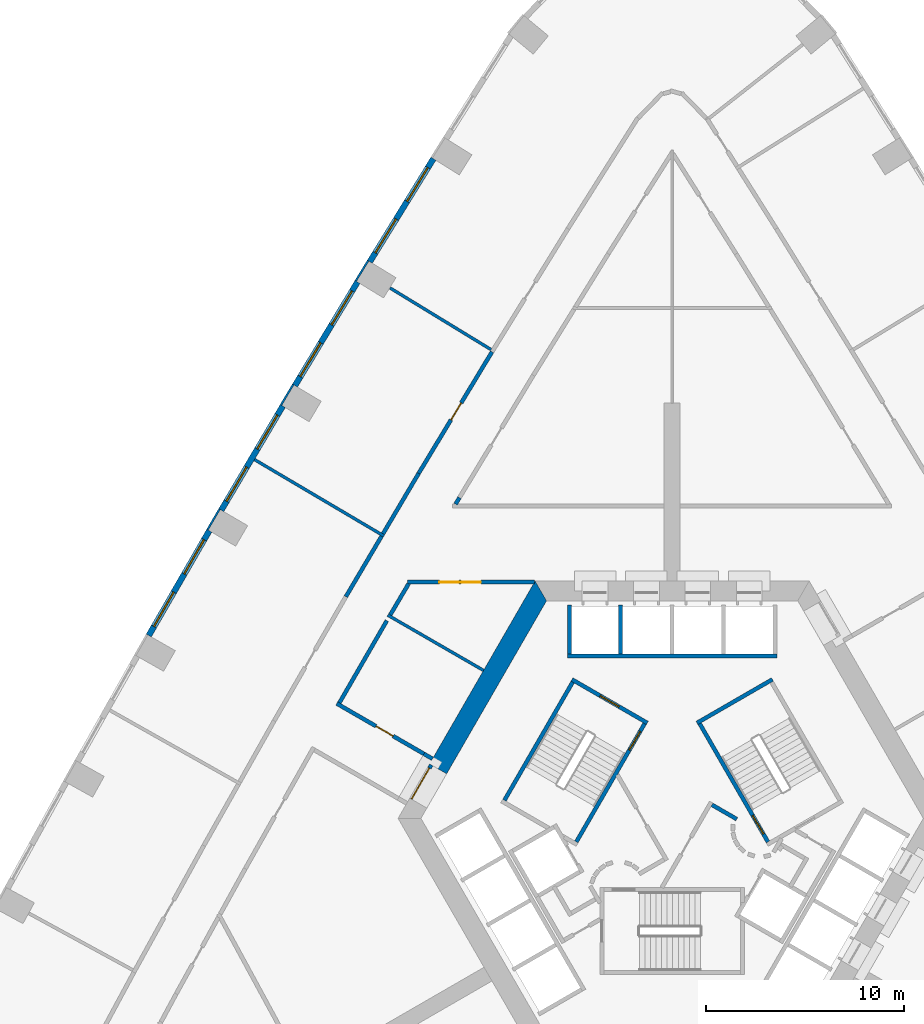
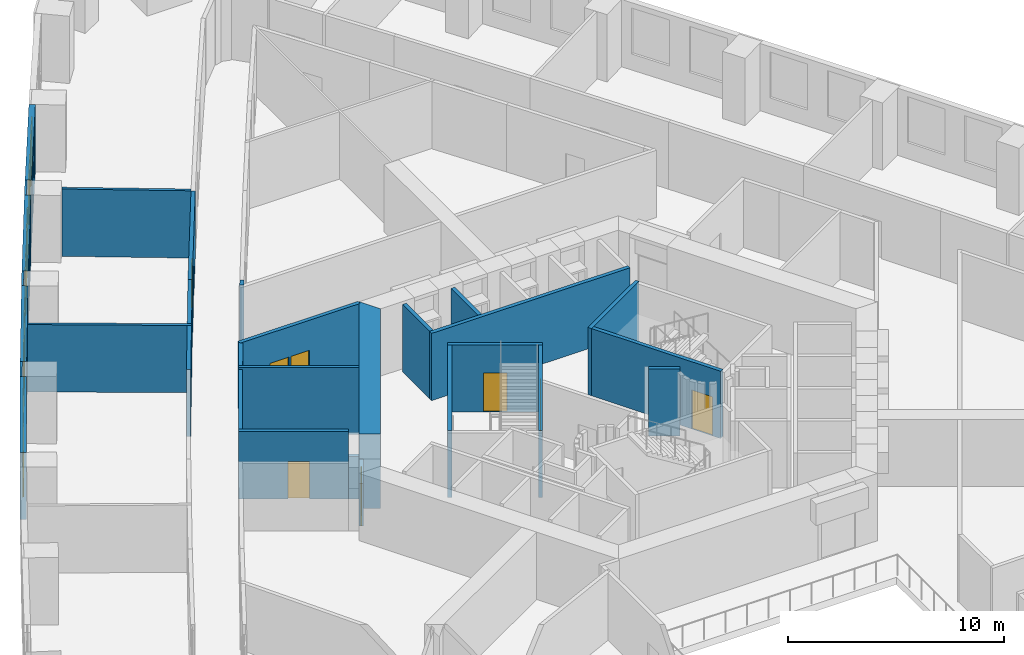
# One storey, part 8 of 13: 30 walls, 8 doors, 8 windows, 16 openings.
"""IFC4 building model written with IfcOpenShell, lengths in metres."""

from ifc_helpers import new_model, si_unit, direction, frame, frame_2d, origin, place, context, subcontext, project, spatial, polyline, rectangle, outline, extrude, material, layer, layer_set, type_object, element, fill, save


model = new_model("IFC4")

# Units and contexts
model_context = context("Model", 3, precision=1e-05, world=origin(), true_north=direction((0.0, 1.0)))
body_context = subcontext(model_context, "Body", "Model", "MODEL_VIEW")
ifc_project = project(units=[si_unit("LENGTHUNIT", "METRE"), si_unit("AREAUNIT", "SQUARE_METRE"), si_unit("VOLUMEUNIT", "CUBIC_METRE"), si_unit("PLANEANGLEUNIT", "RADIAN"), si_unit("MASSUNIT", "GRAM", prefix="KILO")], contexts=[model_context])

# Site, building, storey
site_placement = place(None, origin())
site = spatial("IfcSite", under=ifc_project, at=site_placement, CompositionType="ELEMENT")
building_placement = place(site_placement, origin())
building = spatial("IfcBuilding", under=site, at=building_placement, Name="Entoto Arch Interchange Tower", CompositionType="ELEMENT")
storey_placement = place(building_placement, frame((0.0, 0.0, 51.800048828125)))
storey = spatial("IfcBuildingStorey", under=building, at=storey_placement, Name="L10", CompositionType="ELEMENT", Elevation=51.800048828125)

# Wall, opening, door
ifc_material_1 = material(Name="Reinforced concrete C40/50", Category="concrete")
ifc_layer_1 = layer(ifc_material_1, 0.199951171875)
ifc_layer_set_1 = layer_set([ifc_layer_1], Name="Reinforced concrete C40/50")
wall_type_1 = type_object("IfcWallType", Name="CORE GAP INFILL WALL", PredefinedType="PARTITIONING", material=ifc_layer_set_1)
wall_1_placement = place(storey_placement, frame((-12.179931640625, 5.201904296875, 0.0), z_axis=(0.0, 0.0, 1.0), x_axis=(-0.50002537861, -0.866010750942, 0.0)))
wall_1 = element("IfcWall", 1, at=wall_1_placement, inside=storey, type_object=wall_type_1, Name="wall:L10:gap3", PredefinedType="PARTITIONING", context=body_context, shape_type="SweptSolid", body=[
    extrude(rectangle(XDim=2.0, YDim=0.199951171875, at=frame_2d((1.0, 0.0))), origin(), (0.0, 0.0, 1.0), 2.39990234375),
])
opening_1_placement = place(wall_1_placement, frame((0.18994140625, 0.0, 0.0)))
opening_1 = element("IfcOpeningElement", 2, at=opening_1_placement, cuts=wall_1, Name="Opening L10-D93", PredefinedType="OPENING", context=body_context, shape_type="SweptSolid", body=[
    extrude(rectangle(XDim=1.800048828125, YDim=2.10009765625, at=frame_2d((0.89990234375, 1.050048828125))), frame((0.0, 0.10986328125, 0.0), z_axis=(0.0, -1.0, 0.0), x_axis=(1.0, 0.0, 0.0)), (0.0, 0.0, 1.0), 0.219970703125),
])
ifc_material_2 = material(Name="Fire-rated Steel S235 door and frame", Category="steel")
door_type_1 = type_object("IfcDoorType", Name="DOOR FD-18 1800x2100", OperationType="DOUBLE_DOOR_SINGLE_SWING", PredefinedType="DOOR", material=ifc_material_2)
door_1_placement = place(opening_1_placement, origin())
door_1 = element("IfcDoor", 3, at=door_1_placement, inside=storey, type_object=door_type_1, Name="door:L10:gap3", OperationType="DOUBLE_DOOR_SINGLE_SWING", OverallHeight=2.10009765625, OverallWidth=1.800048828125, PredefinedType="DOOR", context=body_context, shape_type="SweptSolid", body=[
    extrude(rectangle(XDim=1.800048828125, YDim=2.10009765625, at=frame_2d((0.89990234375, 1.050048828125))), frame((0.0, 0.02490234375, 0.0), z_axis=(0.0, -1.0, 0.0), x_axis=(1.0, 0.0, 0.0)), (0.0, 0.0, 1.0), 0.050048828125),
])
fill(opening_1, door_1)

# Walls
ifc_material_3 = material(Name="Concrete C60/75", Category="concrete")
ifc_layer_2 = layer(ifc_material_3, 1.0)
ifc_layer_set_2 = layer_set([ifc_layer_2], Name="Concrete C60/75")
wall_type_2 = type_object("IfcWallType", Name="Core wall 1000 C60/75", PredefinedType="SHEAR", material=ifc_layer_set_2)
wall_2_placement = place(storey_placement, frame((0.0, 0.0, -0.400146484375)))
element("IfcWall", 4, at=wall_2_placement, inside=storey, type_object=wall_type_2, Name="Core wall NW L10", PredefinedType="SHEAR", context=body_context, shape_type="SweptSolid", body=[
    extrude(outline(polyline([(-12.26708984375, 5.251953125), (-11.402099609375, 4.751953125), (-6.35107421875, 13.5), (-6.927978515625, 14.5), (-12.26708984375, 5.251953125)])), origin(), (0.0, 0.0, 1.0), 4.2001953125),
])
ifc_material_4 = material(Name="Concrete C40/50", Category="concrete")
ifc_layer_3 = layer(ifc_material_4, 0.199951171875)
ifc_layer_set_3 = layer_set([ifc_layer_3], Name="Concrete C40/50")
wall_type_3 = type_object("IfcWallType", Name="LIFT SHAFT WALL 200", PredefinedType="STANDARD", material=ifc_layer_set_3)
wall_3_placement = place(storey_placement, frame((5.300048828125, 10.699951171875, 0.0), z_axis=(0.0, 0.0, 1.0), x_axis=(-1.0, 0.0, 0.0)))
element("IfcWall", 5, at=wall_3_placement, inside=storey, type_object=wall_type_3, Name="Shaft wall N3 front", PredefinedType="STANDARD", context=body_context, shape_type="SweptSolid", body=[
    extrude(rectangle(XDim=10.60009765625, YDim=0.199951171875, at=frame_2d((5.300048828125, 0.0))), origin(), (0.0, 0.0, 1.0), 3.800048828125),
])
for number, where, z_axis, x_axis, name in (
    (6, (-2.60009765625, 10.800048828125, 0.0), (0.0, 0.0, 1.0), (0.0, 1.0, 0.0), "Shaft wall N3 cross 4"),
    (7, (-5.199951171875, 10.800048828125, 0.0), (0.0, 0.0, 1.0), (0.0, 1.0, 0.0), "Shaft wall N3 cross 5"),
):
    element("IfcWall", number, at=place(storey_placement, frame(where, z_axis=z_axis, x_axis=x_axis)), inside=storey, type_object=wall_type_3, Name=name, PredefinedType="STANDARD", context=body_context, shape_type="SweptSolid", body=[
        extrude(rectangle(XDim=2.5, YDim=0.199951171875, at=frame_2d((1.25, 0.0))), origin(), (0.0, 0.0, 1.0), 3.800048828125),
    ])
ifc_material_5 = material(Name="Gypsum board partition on steel studs", Category="steel")
ifc_layer_4 = layer(ifc_material_5, 0.14990234375)
ifc_layer_set_4 = layer_set([ifc_layer_4], Name="Gypsum board partition on steel studs")
wall_type_4 = type_object("IfcWallType", Name="PARTITION 150", PredefinedType="PARTITIONING", material=ifc_layer_set_4)
wall_4_placement = place(storey_placement, frame((-14.376953125, 12.77490234375, 0.0), z_axis=(0.0, 0.0, 1.0), x_axis=(0.866051730117, -0.499954398681, 0.0)))
element("IfcWall", 8, at=wall_4_placement, inside=storey, type_object=wall_type_4, Name="wall:L10:p090", PredefinedType="PARTITIONING", context=body_context, shape_type="SweptSolid", body=[
    extrude(rectangle(XDim=5.58837890625, YDim=0.14990234375, at=frame_2d((2.794189453125, 0.0))), origin(), (0.0, 0.0, 1.0), 3.800048828125),
])
wall_5_placement = place(storey_placement, frame((-9.156005859375, 26.200927734375, 0.0), z_axis=(0.0, 0.0, 1.0), x_axis=(-0.853632819511, 0.520875234057, 0.0)))
element("IfcWall", 9, at=wall_5_placement, inside=storey, type_object=wall_type_4, Name="wall:L10:p140", PredefinedType="PARTITIONING", context=body_context, shape_type="SweptSolid", body=[
    extrude(rectangle(XDim=5.980224609375, YDim=0.14990234375, at=frame_2d((2.990234375, 0.0))), origin(), (0.0, 0.0, 1.0), 3.800048828125),
])
wall_6_placement = place(storey_placement, frame((-14.570068359375, 16.77587890625, 0.0), z_axis=(0.0, 0.0, 1.0), x_axis=(-0.861124703857, 0.508393788718, 0.0)))
element("IfcWall", 10, at=wall_6_placement, inside=storey, type_object=wall_type_4, Name="wall:L10:p141", PredefinedType="PARTITIONING", context=body_context, shape_type="SweptSolid", body=[
    extrude(rectangle(XDim=7.600341796875, YDim=0.14990234375, at=frame_2d((3.80029296875, 0.0))), origin(), (0.0, 0.0, 1.0), 3.800048828125),
])
ifc_layer_5 = layer(ifc_material_5, 0.199951171875)
ifc_layer_set_5 = layer_set([ifc_layer_5], Name="Gypsum board partition on steel studs")
wall_type_5 = type_object("IfcWallType", Name="PARTITION 200", PredefinedType="PARTITIONING", material=ifc_layer_set_5)
wall_7_placement = place(storey_placement, frame((-14.425048828125, 12.4970703125, 0.0), z_axis=(0.0, 0.0, 1.0), x_axis=(-0.500026519606, -0.866010092142, 0.0)))
element("IfcWall", 11, at=wall_7_placement, inside=storey, type_object=wall_type_5, Name="wall:L10:p001", PredefinedType="PARTITIONING", context=body_context, shape_type="SweptSolid", body=[
    extrude(rectangle(XDim=4.795654296875, YDim=0.199951171875, at=frame_2d((2.39794921875, 0.0))), origin(), (0.0, 0.0, 1.0), 3.800048828125),
])

# Wall, opening, door
wall_8_placement = place(storey_placement, frame((-16.9599609375, 8.30810546875, 0.0), z_axis=(0.0, 0.0, 1.0), x_axis=(0.866018717003, -0.500011581666, 0.0)))
wall_8 = element("IfcWall", 12, at=wall_8_placement, inside=storey, type_object=wall_type_5, Name="wall:L10:p002", PredefinedType="PARTITIONING", context=body_context, shape_type="SweptSolid", body=[
    extrude(rectangle(XDim=5.09228515625, YDim=0.199951171875, at=frame_2d((2.546142578125, 0.0))), origin(), (0.0, 0.0, 1.0), 3.800048828125),
])
opening_2_placement = place(wall_8_placement, frame((2.2958984375, 0.0, 0.0)))
opening_2 = element("IfcOpeningElement", 13, at=opening_2_placement, cuts=wall_8, Name="Opening L10-D27", PredefinedType="OPENING", context=body_context, shape_type="SweptSolid", body=[
    extrude(rectangle(XDim=1.0, YDim=2.10009765625, at=frame_2d((0.5, 1.050048828125))), frame((0.0, 0.10986328125, 0.0), z_axis=(0.0, -1.0, 0.0), x_axis=(1.0, 0.0, 0.0)), (0.0, 0.0, 1.0), 0.219970703125),
])
ifc_material_6 = material(Name="Timber door leaf in Steel S235 frame", Category="steel")
door_type_2 = type_object("IfcDoorType", Name="DOOR DS-10 1000x2100", OperationType="SINGLE_SWING_LEFT", PredefinedType="DOOR", material=ifc_material_6)
door_2_placement = place(opening_2_placement, origin())
door_2 = element("IfcDoor", 14, at=door_2_placement, inside=storey, type_object=door_type_2, Name="door:L10:27", OperationType="SINGLE_SWING_LEFT", OverallHeight=2.10009765625, OverallWidth=1.0, PredefinedType="DOOR", context=body_context, shape_type="SweptSolid", body=[
    extrude(rectangle(XDim=1.0, YDim=2.10009765625, at=frame_2d((0.5, 1.050048828125))), frame((0.0, 0.02490234375, 0.0), z_axis=(0.0, -1.0, 0.0), x_axis=(1.0, 0.0, 0.0)), (0.0, 0.0, 1.0), 0.050048828125),
])
fill(opening_2, door_2)

# Walls
wall_9_placement = place(storey_placement, frame((-13.322998046875, 14.364013671875, 0.0), z_axis=(0.0, 0.0, 1.0), x_axis=(-0.508274698505, -0.861195001646, 0.0)))
element("IfcWall", 15, at=wall_9_placement, inside=storey, type_object=wall_type_5, Name="wall:L10:p003", PredefinedType="PARTITIONING", context=body_context, shape_type="SweptSolid", body=[
    extrude(rectangle(XDim=1.82763671875, YDim=0.199951171875, at=frame_2d((0.913818359375, 0.0))), origin(), (0.0, 0.0, 1.0), 3.800048828125),
])
wall_10_placement = place(storey_placement, frame((-10.75390625, 18.716064453125, 0.0), z_axis=(0.0, 0.0, 1.0), x_axis=(-0.506880801681, -0.862016155815, 0.0)))
element("IfcWall", 16, at=wall_10_placement, inside=storey, type_object=wall_type_5, Name="wall:L10:p013", PredefinedType="PARTITIONING", context=body_context, shape_type="SweptSolid", body=[
    extrude(rectangle(XDim=0.3828125, YDim=0.199951171875, at=frame_2d((0.19140625, 0.0))), origin(), (0.0, 0.0, 1.0), 3.800048828125),
])
wall_11_placement = place(storey_placement, frame((-14.617919921875, 16.89111328125, 0.0), z_axis=(0.0, 0.0, 1.0), x_axis=(0.508267810274, 0.861199067022, 0.0)))
element("IfcWall", 17, at=wall_11_placement, inside=storey, type_object=wall_type_5, Name="wall:L10:p062", PredefinedType="PARTITIONING", context=body_context, shape_type="SweptSolid", body=[
    extrude(rectangle(XDim=3.54736328125, YDim=0.199951171875, at=frame_2d((1.773681640625, 0.0))), origin(), (0.0, 0.0, 1.0), 3.800048828125),
])

# Wall, opening, door
wall_12_placement = place(storey_placement, frame((-12.81494140625, 19.946044921875, 0.0), z_axis=(0.0, 0.0, 1.0), x_axis=(0.516822021522, 0.856092867667, 0.0)))
wall_12 = element("IfcWall", 18, at=wall_12_placement, inside=storey, type_object=wall_type_5, Name="wall:L10:p063", PredefinedType="PARTITIONING", context=body_context, shape_type="SweptSolid", body=[
    extrude(rectangle(XDim=7.1708984375, YDim=0.199951171875, at=frame_2d((3.58544921875, 0.0))), origin(), (0.0, 0.0, 1.0), 3.800048828125),
])
opening_3_placement = place(wall_12_placement, frame((3.159912109375, 0.0, 0.0)))
opening_3 = element("IfcOpeningElement", 19, at=opening_3_placement, cuts=wall_12, Name="Opening L10-D10", PredefinedType="OPENING", context=body_context, shape_type="SweptSolid", body=[
    extrude(rectangle(XDim=1.0, YDim=2.10009765625, at=frame_2d((0.5, 1.050048828125))), frame((0.0, 0.10986328125, 0.0), z_axis=(0.0, -1.0, 0.0), x_axis=(1.0, 0.0, 0.0)), (0.0, 0.0, 1.0), 0.219970703125),
])
door_3_placement = place(opening_3_placement, origin())
door_3 = element("IfcDoor", 20, at=door_3_placement, inside=storey, type_object=door_type_2, Name="door:L10:10", OperationType="SINGLE_SWING_LEFT", OverallHeight=2.10009765625, OverallWidth=1.0, PredefinedType="DOOR", context=body_context, shape_type="SweptSolid", body=[
    extrude(rectangle(XDim=1.0, YDim=2.10009765625, at=frame_2d((0.5, 1.050048828125))), frame((0.0, 0.02490234375, 0.0), z_axis=(0.0, -1.0, 0.0), x_axis=(1.0, 0.0, 0.0)), (0.0, 0.0, 1.0), 0.050048828125),
])
fill(opening_3, door_3)

# Wall
wall_13_placement = place(storey_placement, frame((-16.498046875, 13.70703125, 0.0), z_axis=(0.0, 0.0, 1.0), x_axis=(0.508471945541, 0.861078556578, 0.0)))
element("IfcWall", 21, at=wall_13_placement, inside=storey, type_object=wall_type_5, Name="wall:L10:p066", PredefinedType="PARTITIONING", context=body_context, shape_type="SweptSolid", body=[
    extrude(rectangle(XDim=3.5478515625, YDim=0.199951171875, at=frame_2d((1.77392578125, 0.0))), origin(), (0.0, 0.0, 1.0), 3.800048828125),
])

# Wall, openings, doors
wall_14_placement = place(storey_placement, frame((-6.95703125, 14.449951171875, 0.0), z_axis=(0.0, 0.0, 1.0), x_axis=(-1.0, 0.0, 0.0)))
wall_14 = element("IfcWall", 22, at=wall_14_placement, inside=storey, type_object=wall_type_5, Name="wall:L10:p091", PredefinedType="PARTITIONING", context=body_context, shape_type="SweptSolid", body=[
    extrude(rectangle(XDim=6.4150390625, YDim=0.199951171875, at=frame_2d((3.20751953125, 0.0))), origin(), (0.0, 0.0, 1.0), 3.800048828125),
])
opening_4_placement = place(wall_14_placement, frame((2.7080078125, 0.0, 0.0)))
opening_4 = element("IfcOpeningElement", 23, at=opening_4_placement, cuts=wall_14, Name="Opening L10-D28", PredefinedType="OPENING", context=body_context, shape_type="SweptSolid", body=[
    extrude(rectangle(XDim=1.0, YDim=2.10009765625, at=frame_2d((0.5, 1.050048828125))), frame((0.0, 0.10986328125, 0.0), z_axis=(0.0, -1.0, 0.0), x_axis=(1.0, 0.0, 0.0)), (0.0, 0.0, 1.0), 0.219970703125),
])
opening_5_placement = place(wall_14_placement, frame((3.80810546875, 0.0, 0.0)))
opening_5 = element("IfcOpeningElement", 24, at=opening_5_placement, cuts=wall_14, Name="Opening L10-D35", PredefinedType="OPENING", context=body_context, shape_type="SweptSolid", body=[
    extrude(rectangle(XDim=1.0, YDim=2.10009765625, at=frame_2d((0.5, 1.050048828125))), frame((0.0, 0.10986328125, 0.0), z_axis=(0.0, -1.0, 0.0), x_axis=(1.0, 0.0, 0.0)), (0.0, 0.0, 1.0), 0.219970703125),
])
door_4_placement = place(opening_4_placement, origin())
door_4 = element("IfcDoor", 25, at=door_4_placement, inside=storey, type_object=door_type_2, Name="door:L10:28", OperationType="SINGLE_SWING_LEFT", OverallHeight=2.10009765625, OverallWidth=1.0, PredefinedType="DOOR", context=body_context, shape_type="SweptSolid", body=[
    extrude(rectangle(XDim=1.0, YDim=2.10009765625, at=frame_2d((0.5, 1.050048828125))), frame((0.0, 0.02490234375, 0.0), z_axis=(0.0, -1.0, 0.0), x_axis=(1.0, 0.0, 0.0)), (0.0, 0.0, 1.0), 0.050048828125),
])
fill(opening_4, door_4)
door_5_placement = place(opening_5_placement, origin())
door_5 = element("IfcDoor", 26, at=door_5_placement, inside=storey, type_object=door_type_2, Name="door:L10:35", OperationType="SINGLE_SWING_RIGHT", OverallHeight=2.10009765625, OverallWidth=1.0, PredefinedType="DOOR", context=body_context, shape_type="SweptSolid", body=[
    extrude(rectangle(XDim=1.0, YDim=2.10009765625, at=frame_2d((0.5, 1.050048828125))), frame((0.0, 0.02490234375, 0.0), z_axis=(0.0, -1.0, 0.0), x_axis=(1.0, 0.0, 0.0)), (0.0, 0.0, 1.0), 0.050048828125),
])
fill(opening_5, door_5)

# Walls
wall_15_placement = place(storey_placement, frame((2.011962890625, 3.18603515625, 0.0), z_axis=(0.0, 0.0, 1.0), x_axis=(0.865891012941, -0.500232699559, 0.0)))
element("IfcWall", 27, at=wall_15_placement, inside=storey, type_object=wall_type_5, Name="wall:L10:p095", PredefinedType="PARTITIONING", context=body_context, shape_type="SweptSolid", body=[
    extrude(rectangle(XDim=1.449462890625, YDim=0.199951171875, at=frame_2d((0.724609375, 0.0))), origin(), (0.0, 0.0, 1.0), 3.800048828125),
])
wall_16_placement = place(storey_placement, frame((-12.550048828125, 5.761962890625, 0.0), z_axis=(0.0, 0.0, 1.0), x_axis=(0.866071776036, -0.499919672301, 0.0)))
element("IfcWall", 28, at=wall_16_placement, inside=storey, type_object=wall_type_5, Name="wall:L10:p002", PredefinedType="PARTITIONING", context=body_context, shape_type="SweptSolid", body=[
    extrude(rectangle(XDim=0.5, YDim=0.199951171875, at=frame_2d((0.25, 0.0))), origin(), (0.0, 0.0, 1.0), 2.39990234375),
])
ifc_layer_6 = layer(ifc_material_4, 0.199951171875)
ifc_layer_set_6 = layer_set([ifc_layer_6], Name="Concrete C40/50")
wall_type_6 = type_object("IfcWallType", Name="STAIR ENCLOSURE WALL 200", PredefinedType="STANDARD", material=ifc_layer_set_6)
wall_17_placement = place(storey_placement, frame((1.256103515625, 7.323974609375, 0.0), z_axis=(0.0, 0.0, 1.0), x_axis=(0.866046073146, 0.499964197906, 0.0)))
element("IfcWall", 29, at=wall_17_placement, inside=storey, type_object=wall_type_6, Name="Stair wall ST-NE far", PredefinedType="STANDARD", context=body_context, shape_type="SweptSolid", body=[
    extrude(rectangle(XDim=4.400146484375, YDim=0.199951171875, at=frame_2d((2.2001953125, 0.0))), origin(), (0.0, 0.0, 1.0), 3.800048828125),
])

# Wall, opening, door
wall_18_placement = place(storey_placement, frame((4.843017578125, 1.31201171875, 0.0), z_axis=(0.0, 0.0, 1.0), x_axis=(-0.499963383562, 0.866046543262, 0.0)))
wall_18 = element("IfcWall", 30, at=wall_18_placement, inside=storey, type_object=wall_type_6, Name="Stair wall ST-NE hall", PredefinedType="STANDARD", context=body_context, shape_type="SweptSolid", body=[
    extrude(rectangle(XDim=6.900390625, YDim=0.199951171875, at=frame_2d((3.4501953125, 0.0))), origin(), (0.0, 0.0, 1.0), 3.800048828125),
])
opening_6_placement = place(wall_18_placement, frame((0.449951171875, 0.0, 0.0)))
opening_6 = element("IfcOpeningElement", 31, at=opening_6_placement, cuts=wall_18, Name="Opening SD-ST-NE-L10", PredefinedType="OPENING", context=body_context, shape_type="SweptSolid", body=[
    extrude(rectangle(XDim=1.10009765625, YDim=2.199951171875, at=frame_2d((0.550048828125, 1.10009765625))), frame((0.0, 0.10986328125, 0.0), z_axis=(0.0, -1.0, 0.0), x_axis=(1.0, 0.0, 0.0)), (0.0, 0.0, 1.0), 0.219970703125),
])
ifc_material_7 = material(Name="Steel S235", Category="steel")
door_type_3 = type_object("IfcDoorType", Name="STAIR DOOR SD1 1100x2200", OperationType="SINGLE_SWING_LEFT", PredefinedType="DOOR", material=ifc_material_7)
door_6_placement = place(opening_6_placement, origin())
door_6 = element("IfcDoor", 32, at=door_6_placement, inside=storey, type_object=door_type_3, Name="Stair door ST-NE L10", OperationType="SINGLE_SWING_LEFT", OverallHeight=2.199951171875, OverallWidth=1.10009765625, PredefinedType="DOOR", context=body_context, shape_type="SweptSolid", body=[
    extrude(rectangle(XDim=1.10009765625, YDim=2.199951171875, at=frame_2d((0.550048828125, 1.10009765625))), frame((0.0, 0.02490234375, 0.0), z_axis=(0.0, -1.0, 0.0), x_axis=(1.0, 0.0, 0.0)), (0.0, 0.0, 1.0), 0.050048828125),
])
fill(opening_6, door_6)

wall_19_placement = place(storey_placement, frame((-1.256103515625, 7.323974609375, 0.0), z_axis=(0.0, 0.0, 1.0), x_axis=(-0.866046073146, 0.499964197906, 0.0)))
wall_19 = element("IfcWall", 33, at=wall_19_placement, inside=storey, type_object=wall_type_6, Name="Stair wall ST-NW near", PredefinedType="STANDARD", context=body_context, shape_type="SweptSolid", body=[
    extrude(rectangle(XDim=4.400146484375, YDim=0.199951171875, at=frame_2d((2.2001953125, 0.0))), origin(), (0.0, 0.0, 1.0), 3.800048828125),
])
opening_7_placement = place(wall_19_placement, frame((1.64990234375, 0.0, 0.0)))
opening_7 = element("IfcOpeningElement", 34, at=opening_7_placement, cuts=wall_19, Name="Opening SD-ST-NW-L10-E", PredefinedType="OPENING", context=body_context, shape_type="SweptSolid", body=[
    extrude(rectangle(XDim=1.10009765625, YDim=2.199951171875, at=frame_2d((0.550048828125, 1.10009765625))), frame((0.0, 0.10986328125, 0.0), z_axis=(0.0, -1.0, 0.0), x_axis=(1.0, 0.0, 0.0)), (0.0, 0.0, 1.0), 0.219970703125),
])
door_7_placement = place(opening_7_placement, origin())
door_7 = element("IfcDoor", 35, at=door_7_placement, inside=storey, type_object=door_type_3, Name="Stair door ST-NW L10 end", OperationType="SINGLE_SWING_LEFT", OverallHeight=2.199951171875, OverallWidth=1.10009765625, PredefinedType="DOOR", context=body_context, shape_type="SweptSolid", body=[
    extrude(rectangle(XDim=1.10009765625, YDim=2.199951171875, at=frame_2d((0.550048828125, 1.10009765625))), frame((0.0, 0.02490234375, 0.0), z_axis=(0.0, -1.0, 0.0), x_axis=(1.0, 0.0, 0.0)), (0.0, 0.0, 1.0), 0.050048828125),
])
fill(opening_7, door_7)

wall_20_placement = place(storey_placement, frame((-1.39306640625, 7.2880859375, 0.0), z_axis=(0.0, 0.0, 1.0), x_axis=(-0.499963383562, -0.866046543262, 0.0)))
wall_20 = element("IfcWall", 36, at=wall_20_placement, inside=storey, type_object=wall_type_6, Name="Stair wall ST-NW hall", PredefinedType="STANDARD", context=body_context, shape_type="SweptSolid", body=[
    extrude(rectangle(XDim=6.900390625, YDim=0.199951171875, at=frame_2d((3.4501953125, 0.0))), origin(), (0.0, 0.0, 1.0), 3.800048828125),
])
opening_8_placement = place(wall_20_placement, frame((0.449951171875, 0.0, 0.0)))
opening_8 = element("IfcOpeningElement", 37, at=opening_8_placement, cuts=wall_20, Name="Opening SD-ST-NW-L10", PredefinedType="OPENING", context=body_context, shape_type="SweptSolid", body=[
    extrude(rectangle(XDim=1.10009765625, YDim=2.199951171875, at=frame_2d((0.550048828125, 1.10009765625))), frame((0.0, 0.10986328125, 0.0), z_axis=(0.0, -1.0, 0.0), x_axis=(1.0, 0.0, 0.0)), (0.0, 0.0, 1.0), 0.219970703125),
])
door_8_placement = place(opening_8_placement, origin())
door_8 = element("IfcDoor", 38, at=door_8_placement, inside=storey, type_object=door_type_3, Name="Stair door ST-NW L10", OperationType="SINGLE_SWING_LEFT", OverallHeight=2.199951171875, OverallWidth=1.10009765625, PredefinedType="DOOR", context=body_context, shape_type="SweptSolid", body=[
    extrude(rectangle(XDim=1.10009765625, YDim=2.199951171875, at=frame_2d((0.550048828125, 1.10009765625))), frame((0.0, 0.02490234375, 0.0), z_axis=(0.0, -1.0, 0.0), x_axis=(1.0, 0.0, 0.0)), (0.0, 0.0, 1.0), 0.050048828125),
])
fill(opening_8, door_8)

# Wall
wall_21_placement = place(storey_placement, frame((-5.030029296875, 9.387939453125, 0.0), z_axis=(0.0, 0.0, 1.0), x_axis=(-0.499978703459, -0.866037698999, 0.0)))
element("IfcWall", 39, at=wall_21_placement, inside=storey, type_object=wall_type_6, Name="Stair wall ST-NW back", PredefinedType="STANDARD", context=body_context, shape_type="SweptSolid", body=[
    extrude(rectangle(XDim=6.900146484375, YDim=0.199951171875, at=frame_2d((3.4501953125, 0.0))), origin(), (0.0, 0.0, 1.0), 3.800048828125),
])

# Wall, openings, windows
ifc_material_8 = material(Name="Welded tuff (ignimbrite) cladding, warm buff", Category="masonry")
ifc_layer_7 = layer(ifc_material_8, 0.300048828125)
ifc_layer_set_7 = layer_set([ifc_layer_7], Name="Welded tuff (ignimbrite) cladding, warm buff")
wall_type_7 = type_object("IfcWallType", Name="STONE INFILL WALL 300", PredefinedType="STANDARD", material=ifc_layer_set_7)
wall_22_placement = place(storey_placement, frame((-12.072998046875, 35.85302734375, 0.0), z_axis=(0.0, 0.0, 1.0), x_axis=(-0.525114088226, -0.851031840971, 0.0)))
wall_22 = element("IfcWall", 40, at=wall_22_placement, inside=storey, type_object=wall_type_7, Name="Facade wall NW-02 L10", PredefinedType="STANDARD", context=body_context, shape_type="SweptSolid", body=[
    extrude(rectangle(XDim=6.120849609375, YDim=0.300048828125, at=frame_2d((3.060546875, 0.0))), origin(), (0.0, 0.0, 1.0), 3.800048828125),
])
opening_9_placement = place(wall_22_placement, frame((0.530029296875, 0.0, 0.89990234375)))
opening_9 = element("IfcOpeningElement", 41, at=opening_9_placement, cuts=wall_22, Name="Opening WO-C", PredefinedType="OPENING", context=body_context, shape_type="SweptSolid", body=[
    extrude(rectangle(XDim=2.0, YDim=2.60009765625, at=frame_2d((1.0, 1.300048828125))), frame((0.0, 0.16015625, 0.0), z_axis=(0.0, -1.0, 0.0), x_axis=(1.0, 0.0, 0.0)), (0.0, 0.0, 1.0), 0.320068359375),
])
opening_10_placement = place(wall_22_placement, frame((3.591064453125, 0.0, 0.89990234375)))
opening_10 = element("IfcOpeningElement", 42, at=opening_10_placement, cuts=wall_22, Name="Opening WO-C", PredefinedType="OPENING", context=body_context, shape_type="SweptSolid", body=[
    extrude(rectangle(XDim=2.0, YDim=2.60009765625, at=frame_2d((1.0, 1.300048828125))), frame((0.0, 0.16015625, 0.0), z_axis=(0.0, -1.0, 0.0), x_axis=(1.0, 0.0, 0.0)), (0.0, 0.0, 1.0), 0.320068359375),
])
ifc_material_9 = material(Name="Clear glass, low-e double glazed", Category="glass")
window_type = type_object("IfcWindowType", Name="WINDOW WO-C 2000x2600", PartitioningType="DOUBLE_PANEL_VERTICAL", PredefinedType="WINDOW", material=ifc_material_9)
window_1_placement = place(opening_9_placement, origin())
window_1 = element("IfcWindow", 43, at=window_1_placement, inside=storey, type_object=window_type, Name="Window WO-C NW-02 L10", OverallHeight=2.60009765625, OverallWidth=2.0, PartitioningType="SINGLE_PANEL", PredefinedType="WINDOW", context=body_context, shape_type="SweptSolid", body=[
    extrude(rectangle(XDim=2.0, YDim=2.60009765625, at=frame_2d((1.0, 1.300048828125))), frame((0.0, 0.030029296875, 0.0), z_axis=(0.0, -1.0, 0.0), x_axis=(1.0, 0.0, 0.0)), (0.0, 0.0, 1.0), 0.06005859375),
])
fill(opening_9, window_1)
window_2_placement = place(opening_10_placement, origin())
window_2 = element("IfcWindow", 44, at=window_2_placement, inside=storey, type_object=window_type, Name="Window WO-C NW-02 L10", OverallHeight=2.60009765625, OverallWidth=2.0, PartitioningType="SINGLE_PANEL", PredefinedType="WINDOW", context=body_context, shape_type="SweptSolid", body=[
    extrude(rectangle(XDim=2.0, YDim=2.60009765625, at=frame_2d((1.0, 1.300048828125))), frame((0.0, 0.030029296875, 0.0), z_axis=(0.0, -1.0, 0.0), x_axis=(1.0, 0.0, 0.0)), (0.0, 0.0, 1.0), 0.06005859375),
])
fill(opening_10, window_2)

wall_23_placement = place(storey_placement, frame((-15.910888671875, 29.62109375, 0.0), z_axis=(0.0, 0.0, 1.0), x_axis=(-0.516699243123, -0.856166976796, 0.0)))
wall_23 = element("IfcWall", 45, at=wall_23_placement, inside=storey, type_object=wall_type_7, Name="Facade wall NW-03 L10", PredefinedType="STANDARD", context=body_context, shape_type="SweptSolid", body=[
    extrude(rectangle(XDim=6.121826171875, YDim=0.300048828125, at=frame_2d((3.06103515625, 0.0))), origin(), (0.0, 0.0, 1.0), 3.800048828125),
])
opening_11_placement = place(wall_23_placement, frame((0.530029296875, 0.0, 0.89990234375)))
opening_11 = element("IfcOpeningElement", 46, at=opening_11_placement, cuts=wall_23, Name="Opening WO-C", PredefinedType="OPENING", context=body_context, shape_type="SweptSolid", body=[
    extrude(rectangle(XDim=2.0, YDim=2.60009765625, at=frame_2d((1.0, 1.300048828125))), frame((0.0, 0.16015625, 0.0), z_axis=(0.0, -1.0, 0.0), x_axis=(1.0, 0.0, 0.0)), (0.0, 0.0, 1.0), 0.320068359375),
])
opening_12_placement = place(wall_23_placement, frame((3.591064453125, 0.0, 0.89990234375)))
opening_12 = element("IfcOpeningElement", 47, at=opening_12_placement, cuts=wall_23, Name="Opening WO-C", PredefinedType="OPENING", context=body_context, shape_type="SweptSolid", body=[
    extrude(rectangle(XDim=2.0, YDim=2.60009765625, at=frame_2d((1.0, 1.300048828125))), frame((0.0, 0.16015625, 0.0), z_axis=(0.0, -1.0, 0.0), x_axis=(1.0, 0.0, 0.0)), (0.0, 0.0, 1.0), 0.320068359375),
])
window_3_placement = place(opening_11_placement, origin())
window_3 = element("IfcWindow", 48, at=window_3_placement, inside=storey, type_object=window_type, Name="Window WO-C NW-03 L10", OverallHeight=2.60009765625, OverallWidth=2.0, PartitioningType="SINGLE_PANEL", PredefinedType="WINDOW", context=body_context, shape_type="SweptSolid", body=[
    extrude(rectangle(XDim=2.0, YDim=2.60009765625, at=frame_2d((1.0, 1.300048828125))), frame((0.0, 0.030029296875, 0.0), z_axis=(0.0, -1.0, 0.0), x_axis=(1.0, 0.0, 0.0)), (0.0, 0.0, 1.0), 0.06005859375),
])
fill(opening_11, window_3)
window_4_placement = place(opening_12_placement, origin())
window_4 = element("IfcWindow", 49, at=window_4_placement, inside=storey, type_object=window_type, Name="Window WO-C NW-03 L10", OverallHeight=2.60009765625, OverallWidth=2.0, PartitioningType="SINGLE_PANEL", PredefinedType="WINDOW", context=body_context, shape_type="SweptSolid", body=[
    extrude(rectangle(XDim=2.0, YDim=2.60009765625, at=frame_2d((1.0, 1.300048828125))), frame((0.0, 0.030029296875, 0.0), z_axis=(0.0, -1.0, 0.0), x_axis=(1.0, 0.0, 0.0)), (0.0, 0.0, 1.0), 0.06005859375),
])
fill(opening_12, window_4)

wall_24_placement = place(storey_placement, frame((-19.68798828125, 23.35107421875, 0.0), z_axis=(0.0, 0.0, 1.0), x_axis=(-0.508412153373, -0.861113861404, 0.0)))
wall_24 = element("IfcWall", 50, at=wall_24_placement, inside=storey, type_object=wall_type_7, Name="Facade wall NW-04 L10", PredefinedType="STANDARD", context=body_context, shape_type="SweptSolid", body=[
    extrude(rectangle(XDim=6.12109375, YDim=0.300048828125, at=frame_2d((3.060546875, 0.0))), origin(), (0.0, 0.0, 1.0), 3.800048828125),
])
opening_13_placement = place(wall_24_placement, frame((0.530029296875, 0.0, 0.89990234375)))
opening_13 = element("IfcOpeningElement", 51, at=opening_13_placement, cuts=wall_24, Name="Opening WO-C", PredefinedType="OPENING", context=body_context, shape_type="SweptSolid", body=[
    extrude(rectangle(XDim=2.0, YDim=2.60009765625, at=frame_2d((1.0, 1.300048828125))), frame((0.0, 0.16015625, 0.0), z_axis=(0.0, -1.0, 0.0), x_axis=(1.0, 0.0, 0.0)), (0.0, 0.0, 1.0), 0.320068359375),
])
opening_14_placement = place(wall_24_placement, frame((3.591064453125, 0.0, 0.89990234375)))
opening_14 = element("IfcOpeningElement", 52, at=opening_14_placement, cuts=wall_24, Name="Opening WO-C", PredefinedType="OPENING", context=body_context, shape_type="SweptSolid", body=[
    extrude(rectangle(XDim=2.0, YDim=2.60009765625, at=frame_2d((1.0, 1.300048828125))), frame((0.0, 0.16015625, 0.0), z_axis=(0.0, -1.0, 0.0), x_axis=(1.0, 0.0, 0.0)), (0.0, 0.0, 1.0), 0.320068359375),
])
window_5_placement = place(opening_13_placement, origin())
window_5 = element("IfcWindow", 53, at=window_5_placement, inside=storey, type_object=window_type, Name="Window WO-C NW-04 L10", OverallHeight=2.60009765625, OverallWidth=2.0, PartitioningType="SINGLE_PANEL", PredefinedType="WINDOW", context=body_context, shape_type="SweptSolid", body=[
    extrude(rectangle(XDim=2.0, YDim=2.60009765625, at=frame_2d((1.0, 1.300048828125))), frame((0.0, 0.030029296875, 0.0), z_axis=(0.0, -1.0, 0.0), x_axis=(1.0, 0.0, 0.0)), (0.0, 0.0, 1.0), 0.06005859375),
])
fill(opening_13, window_5)
window_6_placement = place(opening_14_placement, origin())
window_6 = element("IfcWindow", 54, at=window_6_placement, inside=storey, type_object=window_type, Name="Window WO-C NW-04 L10", OverallHeight=2.60009765625, OverallWidth=2.0, PartitioningType="SINGLE_PANEL", PredefinedType="WINDOW", context=body_context, shape_type="SweptSolid", body=[
    extrude(rectangle(XDim=2.0, YDim=2.60009765625, at=frame_2d((1.0, 1.300048828125))), frame((0.0, 0.030029296875, 0.0), z_axis=(0.0, -1.0, 0.0), x_axis=(1.0, 0.0, 0.0)), (0.0, 0.0, 1.0), 0.06005859375),
])
fill(opening_14, window_6)

wall_25_placement = place(storey_placement, frame((-23.404052734375, 17.0458984375, 0.0), z_axis=(0.0, 0.0, 1.0), x_axis=(-0.499957248001, -0.866050085256, 0.0)))
wall_25 = element("IfcWall", 55, at=wall_25_placement, inside=storey, type_object=wall_type_7, Name="Facade wall NW-05 L10", PredefinedType="STANDARD", context=body_context, shape_type="SweptSolid", body=[
    extrude(rectangle(XDim=6.12060546875, YDim=0.300048828125, at=frame_2d((3.060302734375, 0.0))), origin(), (0.0, 0.0, 1.0), 3.800048828125),
])
opening_15_placement = place(wall_25_placement, frame((0.530029296875, 0.0, 0.89990234375)))
opening_15 = element("IfcOpeningElement", 56, at=opening_15_placement, cuts=wall_25, Name="Opening WO-C", PredefinedType="OPENING", context=body_context, shape_type="SweptSolid", body=[
    extrude(rectangle(XDim=2.0, YDim=2.60009765625, at=frame_2d((1.0, 1.300048828125))), frame((0.0, 0.16015625, 0.0), z_axis=(0.0, -1.0, 0.0), x_axis=(1.0, 0.0, 0.0)), (0.0, 0.0, 1.0), 0.320068359375),
])
opening_16_placement = place(wall_25_placement, frame((3.591064453125, 0.0, 0.89990234375)))
opening_16 = element("IfcOpeningElement", 57, at=opening_16_placement, cuts=wall_25, Name="Opening WO-C", PredefinedType="OPENING", context=body_context, shape_type="SweptSolid", body=[
    extrude(rectangle(XDim=2.0, YDim=2.60009765625, at=frame_2d((1.0, 1.300048828125))), frame((0.0, 0.16015625, 0.0), z_axis=(0.0, -1.0, 0.0), x_axis=(1.0, 0.0, 0.0)), (0.0, 0.0, 1.0), 0.320068359375),
])
window_7_placement = place(opening_15_placement, origin())
window_7 = element("IfcWindow", 58, at=window_7_placement, inside=storey, type_object=window_type, Name="Window WO-C NW-05 L10", OverallHeight=2.60009765625, OverallWidth=2.0, PartitioningType="SINGLE_PANEL", PredefinedType="WINDOW", context=body_context, shape_type="SweptSolid", body=[
    extrude(rectangle(XDim=2.0, YDim=2.60009765625, at=frame_2d((1.0, 1.300048828125))), frame((0.0, 0.030029296875, 0.0), z_axis=(0.0, -1.0, 0.0), x_axis=(1.0, 0.0, 0.0)), (0.0, 0.0, 1.0), 0.06005859375),
])
fill(opening_15, window_7)
window_8_placement = place(opening_16_placement, origin())
window_8 = element("IfcWindow", 59, at=window_8_placement, inside=storey, type_object=window_type, Name="Window WO-C NW-05 L10", OverallHeight=2.60009765625, OverallWidth=2.0, PartitioningType="SINGLE_PANEL", PredefinedType="WINDOW", context=body_context, shape_type="SweptSolid", body=[
    extrude(rectangle(XDim=2.0, YDim=2.60009765625, at=frame_2d((1.0, 1.300048828125))), frame((0.0, 0.030029296875, 0.0), z_axis=(0.0, -1.0, 0.0), x_axis=(1.0, 0.0, 0.0)), (0.0, 0.0, 1.0), 0.06005859375),
])
fill(opening_16, window_8)

# Walls
ifc_layer_8 = layer(ifc_material_8, 0.10009765625)
ifc_layer_set_8 = layer_set([ifc_layer_8], Name="Welded tuff (ignimbrite) cladding, warm buff")
wall_type_8 = type_object("IfcWallType", Name="STONE PIER CLADDING 100", PredefinedType="STANDARD", material=ifc_layer_set_8)
for number, where, z_axis, x_axis, name in (
    (60, (-15.373046875, 30.697998046875, 0.0), (0.0, 0.0, 1.0), (-0.521598117945, -0.853191305251, 0.0), "Stone pier NW03 L10"),
    (61, (-19.160888671875, 24.43310546875, 0.0), (0.0, 0.0, 1.0), (-0.513388576555, -0.858156261682, 0.0), "Stone pier NW04 L10"),
):
    element("IfcWall", number, at=place(storey_placement, frame(where, z_axis=z_axis, x_axis=x_axis)), inside=storey, type_object=wall_type_8, Name=name, PredefinedType="STANDARD", context=body_context, shape_type="SweptSolid", body=[
        extrude(rectangle(XDim=1.2001953125, YDim=0.10009765625, at=frame_2d((0.60009765625, 0.0))), origin(), (0.0, 0.0, 1.0), 3.800048828125),
    ])
wall_26_placement = place(storey_placement, frame((-22.887939453125, 18.133056640625, 0.0), z_axis=(0.0, 0.0, 1.0), x_axis=(-0.504225229382, -0.863572184623, 0.0)))
element("IfcWall", 62, at=wall_26_placement, inside=storey, type_object=wall_type_8, Name="Stone pier NW05 L10", PredefinedType="STANDARD", context=body_context, shape_type="SweptSolid", body=[
    extrude(rectangle(XDim=1.19970703125, YDim=0.10009765625, at=frame_2d((0.599853515625, 0.0))), origin(), (0.0, 0.0, 1.0), 3.800048828125),
])

save(model, "model.ifc")
